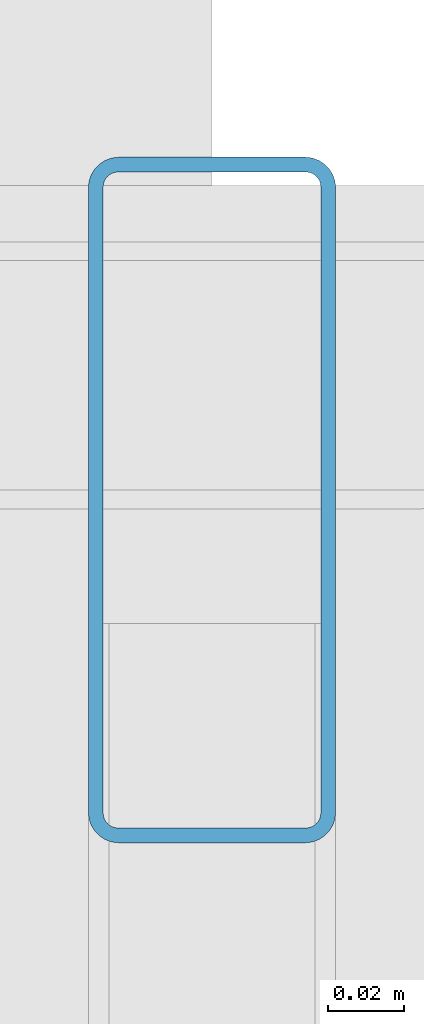
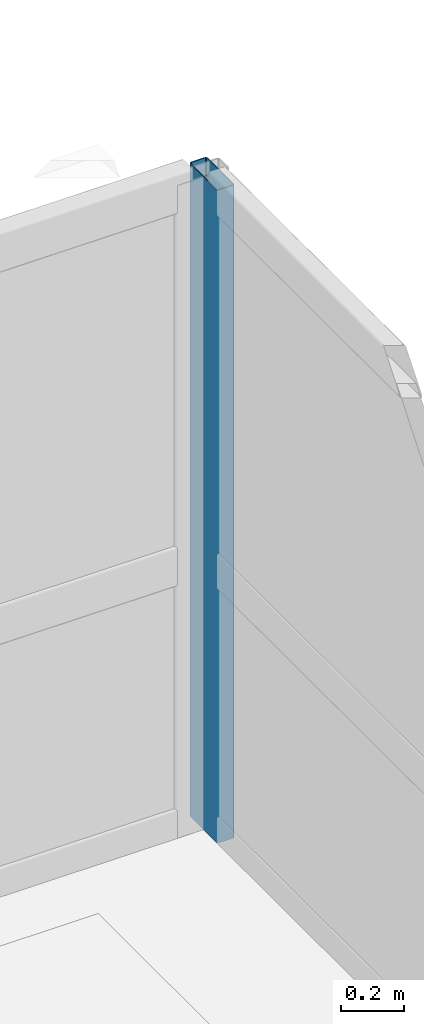
# One storey, part 14 of 24: 1 member, 1 element without a shape of its own.
"""IFC4 building model written with IfcOpenShell, lengths in metres."""

from ifc_helpers import new_model, si_unit, direction, frame, origin, origin_2d, place, context, subcontext, project, spatial, hollow_rectangle, extrude, material, layer, layer_set, material_profile, profile_set, type_object, element, aggregate, save


model = new_model("IFC4")

# Units and contexts
model_context = context("Model", 3, precision=1e-05, world=origin(), true_north=direction((0.0, 1.0)))
body_context = subcontext(model_context, "Body", "Model", "MODEL_VIEW")
ifc_project = project(units=[si_unit("LENGTHUNIT", "METRE"), si_unit("AREAUNIT", "SQUARE_METRE"), si_unit("VOLUMEUNIT", "CUBIC_METRE"), si_unit("PLANEANGLEUNIT", "RADIAN"), si_unit("MASSUNIT", "GRAM", prefix="KILO"), si_unit("THERMODYNAMICTEMPERATUREUNIT", "KELVIN"), si_unit("POWERUNIT", "WATT")], contexts=[model_context])

# Site, building, storey
site_placement = place(None, origin())
site = spatial("IfcSite", under=ifc_project, at=site_placement, CompositionType="ELEMENT")
building_placement = place(site_placement, origin())
building = spatial("IfcBuilding", under=site, at=building_placement, Name="Mavoryth Pier Ferry Terminal", CompositionType="ELEMENT")
storey_placement = place(building_placement, frame((0.0, 0.0, 16.320068359375)))
storey = spatial("IfcBuildingStorey", under=building, at=storey_placement, Name="L04", CompositionType="ELEMENT", Elevation=16.320068359375)

# Curtain wall, member
ifc_material_1 = material(Name="Anodised Aluminium and Solar-Control Low-E Glass", Category="aluminium")
ifc_layer = layer(ifc_material_1, 0.260009765625, Name="Anodised Aluminium and Solar-Control Low-E Glass", Category="aluminium")
ifc_layer_set = layer_set([ifc_layer], Name="Anodised Aluminium and Solar-Control Low-E Glass - CW-VTSBridge-Mod1500")
curtain_wall_type = type_object("IfcCurtainWallType", Name="CW-VTSBridge-Mod1500", PredefinedType="USERDEFINED", material=ifc_layer_set)
curtain_wall_placement = place(storey_placement, origin())
curtain_wall = element("IfcCurtainWall", 1, at=curtain_wall_placement, inside=storey, type_object=curtain_wall_type, Name="Curtain Wall CW-0433-158", ObjectType="UNITISED CURTAIN WALL", PredefinedType="USERDEFINED")
ifc_material_2 = material(Name="Anodised Aluminium EN AW-6063", Category="aluminium")
ifc_material_profile = material_profile(ifc_material_2, hollow_rectangle(XDim=0.06494140625, YDim=0.179931640625, WallThickness=0.00390625, InnerFilletRadius=0.00390625, OuterFilletRadius=0.008056640625, at=origin_2d()), Name="AL-MULL 180x65x4", Category="aluminium")
ifc_profile_set = profile_set([ifc_material_profile], Name="Anodised Aluminium EN AW-6063 - AL-MULL 180x65x4")
member_type = type_object("IfcMemberType", Name="Mullion-Alum-180x65", PredefinedType="MULLION", material=ifc_profile_set)
member_placement = place(storey_placement, frame((67.199951171875, 24.3173828125, 0.0), z_axis=(0.0, 0.0, 1.0), x_axis=(-1.0, 0.0, 0.0)))
member = element("IfcMember", 2, at=member_placement, type_object=member_type, Name="CW07 mullion 2", PredefinedType="MULLION", context=body_context, shape_type="SweptSolid", body=[
    extrude(hollow_rectangle(XDim=0.06494140625, YDim=0.179931640625, WallThickness=0.00390625, InnerFilletRadius=0.00390625, OuterFilletRadius=0.008056640625, at=origin_2d()), origin(), (0.0, 0.0, 1.0), 2.52490234375),
])
aggregate(curtain_wall, [member])

save(model, "model.ifc")
